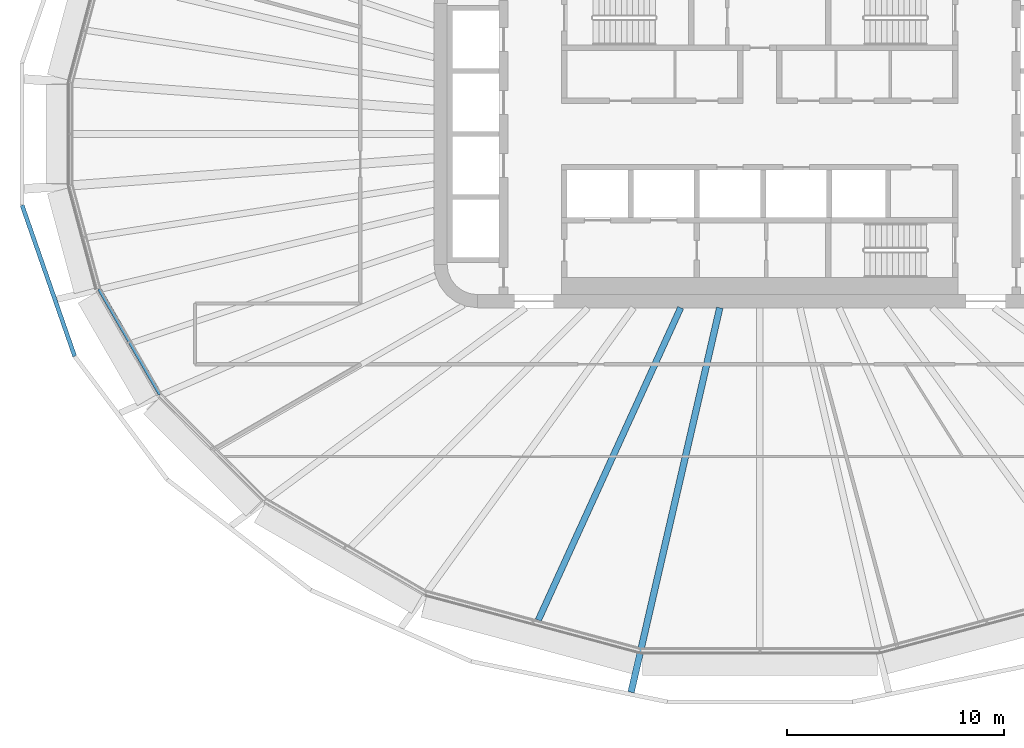
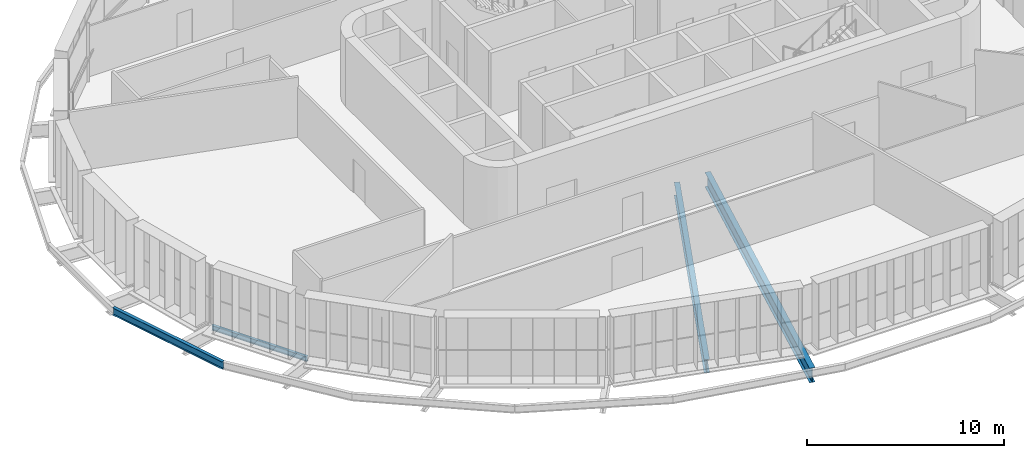
# One storey, part 2 of 24: 4 beams.
"""IFC4 building model written with IfcOpenShell, lengths in metres."""

from ifc_helpers import new_model, si_unit, direction, frame, origin, origin_2d, place, context, subcontext, project, spatial, i_section, extrude, material, material_profile, profile_set, type_object, element, save


model = new_model("IFC4")

# Units and contexts
model_context = context("Model", 3, precision=1e-05, world=origin(), true_north=direction((0.0, 1.0)))
body_context = subcontext(model_context, "Body", "Model", "MODEL_VIEW")
ifc_project = project(units=[si_unit("LENGTHUNIT", "METRE"), si_unit("AREAUNIT", "SQUARE_METRE"), si_unit("VOLUMEUNIT", "CUBIC_METRE"), si_unit("PLANEANGLEUNIT", "RADIAN"), si_unit("MASSUNIT", "GRAM", prefix="KILO")], contexts=[model_context])

# Site, building, storey
site_placement = place(None, origin())
site = spatial("IfcSite", under=ifc_project, at=site_placement, CompositionType="ELEMENT")
building_placement = place(site_placement, origin())
building = spatial("IfcBuilding", under=site, at=building_placement, Name="Sahrelin Media Tower", CompositionType="ELEMENT")
storey_placement = place(building_placement, frame((0.0, 0.0, 123.0)))
storey = spatial("IfcBuildingStorey", under=building, at=storey_placement, Name="L24", CompositionType="ELEMENT", Elevation=123.0)

# Beams
ifc_material = material(Name="Steel S355", Category="steel")
ifc_material_profile_1 = material_profile(ifc_material, i_section(OverallWidth=0.1650390625, OverallDepth=0.303466796875, WebThickness=0.006103515625, FlangeThickness=0.01025390625, FilletRadius=0.0087890625, at=origin_2d()), Name="UB 305x165x40")
ifc_profile_set_1 = profile_set([ifc_material_profile_1], Name="Steel S355")
beam_type_1 = type_object("IfcBeamType", Name="Edge beam EB2", PredefinedType="BEAM", material=ifc_profile_set_1)
beam_1_placement = place(storey_placement, frame((-27.6103515625, -11.9853515625, -0.3017578125), z_axis=(-0.500020903074, 0.866013335053, 0.0), x_axis=(-0.866013335053, -0.500020903074, 0.0)))
element("IfcBeam", 1, at=beam_1_placement, inside=storey, type_object=beam_type_1, Name="Edge beam L24-11", PredefinedType="BEAM", context=body_context, shape_type="SweptSolid", body=[
    extrude(i_section(OverallWidth=0.1650390625, OverallDepth=0.303466796875, WebThickness=0.006103515625, FlangeThickness=0.01025390625, FilletRadius=0.0087890625, at=origin_2d()), origin(), (0.0, 0.0, 1.0), 5.593994140625),
])
ifc_material_profile_2 = material_profile(ifc_material, i_section(OverallWidth=0.30322265625, OverallDepth=0.903076171875, WebThickness=0.01513671875, FlangeThickness=0.020263671875, FilletRadius=0.01904296875, at=origin_2d()), Name="UB 914x305x201")
ifc_profile_set_2 = profile_set([ifc_material_profile_2], Name="Steel S355")
beam_type_2 = type_object("IfcBeamType", Name="Radial primary beam PB11", PredefinedType="BEAM", material=ifc_profile_set_2)
beam_2_placement = place(storey_placement, frame((-1.845703125, -8.0, -0.6015625), z_axis=(-0.224801592423, -0.974404558715, 0.0), x_axis=(0.974404558715, -0.224801592423, 0.0)))
element("IfcBeam", 2, at=beam_2_placement, inside=storey, type_object=beam_type_2, Name="Radial beam L24-18", PredefinedType="BEAM", context=body_context, shape_type="SweptSolid", body=[
    extrude(i_section(OverallWidth=0.30322265625, OverallDepth=0.903076171875, WebThickness=0.01513671875, FlangeThickness=0.020263671875, FilletRadius=0.01904296875, at=origin_2d()), origin(), (0.0, 0.0, 1.0), 18.164794921875),
])
ifc_material_profile_3 = material_profile(ifc_material, i_section(OverallWidth=0.291748046875, OverallDepth=0.8349609375, WebThickness=0.013916015625, FlangeThickness=0.018798828125, FilletRadius=0.017822265625, at=origin_2d()), Name="UB 838x292x176")
ifc_profile_set_3 = profile_set([ifc_material_profile_3], Name="Steel S355")
beam_type_3 = type_object("IfcBeamType", Name="Radial secondary beam SB10", PredefinedType="BEAM", material=ifc_profile_set_3)
beam_3_placement = place(storey_placement, frame((-3.6455078125, -8.0, -0.5673828125), z_axis=(-0.414671083889, -0.909971368883, 0.0), x_axis=(0.909971368883, -0.414671083889, 0.0)))
element("IfcBeam", 3, at=beam_3_placement, inside=storey, type_object=beam_type_3, Name="Secondary beam L24-13", PredefinedType="BEAM", context=body_context, shape_type="SweptSolid", body=[
    extrude(i_section(OverallWidth=0.291748046875, OverallDepth=0.8349609375, WebThickness=0.013916015625, FlangeThickness=0.018798828125, FilletRadius=0.017822265625, at=origin_2d()), origin(), (0.0, 0.0, 1.0), 15.802734375),
])
ifc_material_profile_4 = material_profile(ifc_material, i_section(OverallWidth=0.1904296875, OverallDepth=0.45703125, WebThickness=0.009033203125, FlangeThickness=0.014404296875, FilletRadius=0.01025390625, at=origin_2d()), Name="UB 457x191x74")
ifc_profile_set_4 = profile_set([ifc_material_profile_4], Name="Steel S355")
beam_type_4 = type_object("IfcBeamType", Name="Tie chord TC5", PredefinedType="BEAM", material=ifc_profile_set_4)
beam_4_placement = place(storey_placement, frame((-33.964111328125, -3.276611328125, -0.37841796875), z_axis=(0.328777707888, -0.944407337326, 0.0), x_axis=(0.944407337326, 0.328777707888, 0.0)))
element("IfcBeam", 4, at=beam_4_placement, inside=storey, type_object=beam_type_4, Name="Tie chord L24-13", PredefinedType="BEAM", context=body_context, shape_type="SweptSolid", body=[
    extrude(i_section(OverallWidth=0.1904296875, OverallDepth=0.45703125, WebThickness=0.009033203125, FlangeThickness=0.014404296875, FilletRadius=0.01025390625, at=origin_2d()), origin(), (0.0, 0.0, 1.0), 7.3662109375),
])

save(model, "model.ifc")
